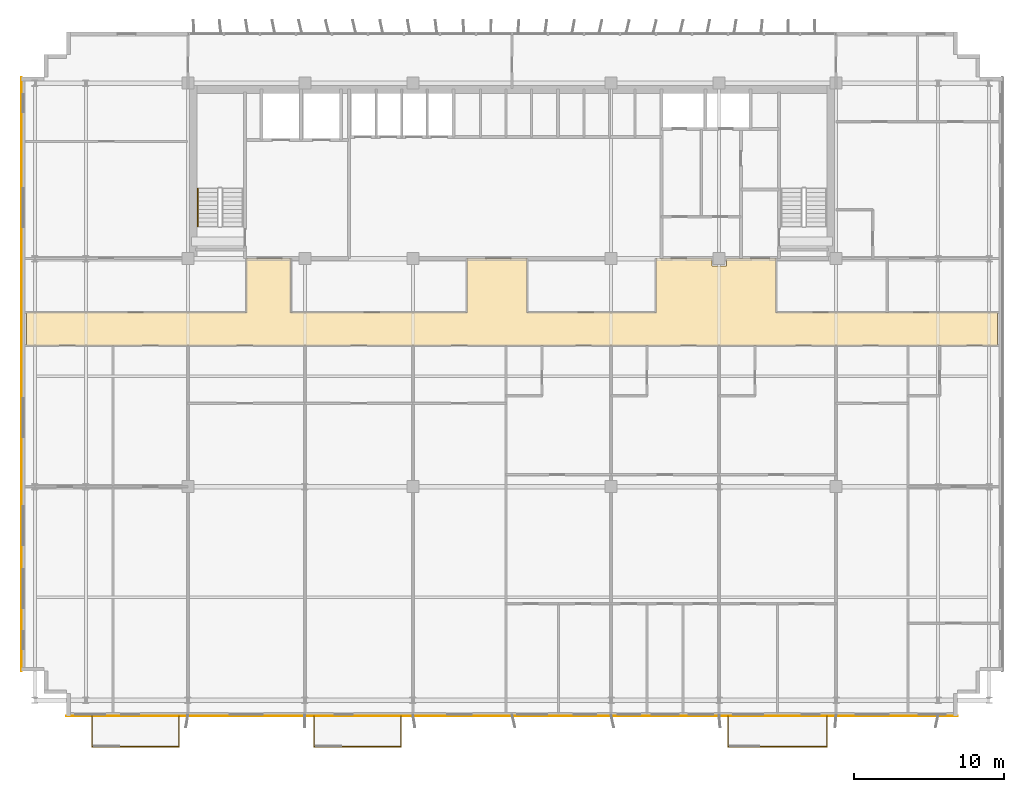
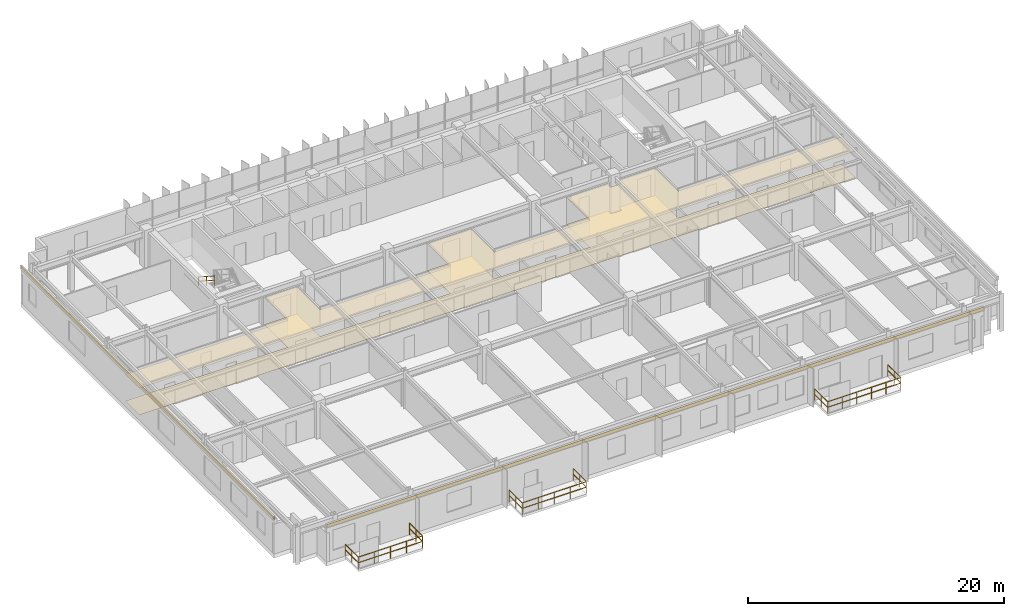
# One storey, part 20 of 22: 10 railings, 4 coverings.
"""IFC4 building model written with IfcOpenShell, lengths in metres."""

from ifc_helpers import new_model, si_unit, direction, frame, origin, origin_2d, place, context, subcontext, project, spatial, polyline, rectangle, outline, extrude, source, transform, mapped, material, layer, layer_set, type_object, element, save


model = new_model("IFC4")

# Units and contexts
model_context = context("Model", 3, precision=1e-05, world=origin(), true_north=direction((0.0, 1.0)))
body_context = subcontext(model_context, "Body", "Model", "MODEL_VIEW")
ifc_project = project(units=[si_unit("LENGTHUNIT", "METRE"), si_unit("AREAUNIT", "SQUARE_METRE"), si_unit("VOLUMEUNIT", "CUBIC_METRE"), si_unit("PLANEANGLEUNIT", "RADIAN"), si_unit("MASSUNIT", "GRAM", prefix="KILO")], contexts=[model_context])

# Site, building, storey
site_placement = place(None, origin())
site = spatial("IfcSite", under=ifc_project, at=site_placement, CompositionType="ELEMENT")
building_placement = place(site_placement, origin())
building = spatial("IfcBuilding", under=site, at=building_placement, Name="Trelvane Seafront Commons", CompositionType="ELEMENT")
storey_placement = place(building_placement, frame((0.0, 0.0, 81.699951171875)))
storey = spatial("IfcBuildingStorey", under=building, at=storey_placement, Name="L20", CompositionType="ELEMENT", Elevation=81.699951171875)

# Coverings
ifc_material_1 = material(Name="Acoustic Mineral Fibre Ceiling")
ifc_layer_1 = layer(ifc_material_1, 0.02490234375, Name="ARCH-COV-CEIL25")
ifc_layer_set_1 = layer_set([ifc_layer_1], Name="Acoustic Mineral Fibre Ceiling")
covering_type_1 = type_object("IfcCoveringType", Name="ARCH-COV-CEIL25", PredefinedType="CEILING", material=ifc_layer_set_1)
covering_1_placement = place(storey_placement, frame((0.0, 0.0, 2.550048828125)))
element("IfcCovering", 1, at=covering_1_placement, inside=storey, type_object=covering_type_1, Name="COV-CEIL-L20-10", PredefinedType="CEILING", context=body_context, shape_type="SweptSolid", body=[
    extrude(outline(polyline([(51.47998046875, 33.39990234375), (51.47998046875, 32.919921875), (50.52001953125, 32.919921875), (50.52001953125, 33.39990234375), (46.800048828125, 33.39990234375), (46.800048828125, 29.800048828125), (38.199951171875, 29.800048828125), (38.199951171875, 33.39990234375), (34.199951171875, 33.39990234375), (34.199951171875, 29.800048828125), (22.449951171875, 29.800048828125), (22.449951171875, 33.39990234375), (19.5, 33.39990234375), (19.5, 29.800048828125), (4.85009765625, 29.800048828125), (4.85009765625, 27.60009765625), (69.550048828125, 27.60009765625), (69.550048828125, 29.800048828125), (54.800048828125, 29.800048828125), (54.800048828125, 33.39990234375), (51.47998046875, 33.39990234375)])), origin(), (0.0, 0.0, 1.0), 0.02490234375),
])
ifc_material_2 = material(Name="Polished Terrazzo Finish")
ifc_layer_2 = layer(ifc_material_2, 0.02001953125, Name="ARCH-COV-FLOR20")
ifc_layer_set_2 = layer_set([ifc_layer_2], Name="Polished Terrazzo Finish")
covering_type_2 = type_object("IfcCoveringType", Name="ARCH-COV-FLOR20", PredefinedType="FLOORING", material=ifc_layer_set_2)
covering_2_placement = place(storey_placement, origin())
element("IfcCovering", 2, at=covering_2_placement, inside=storey, type_object=covering_type_2, Name="COV-FLOR-L20-10", PredefinedType="FLOORING", context=body_context, shape_type="SweptSolid", body=[
    extrude(outline(polyline([(51.47998046875, 33.39990234375), (51.47998046875, 32.919921875), (50.52001953125, 32.919921875), (50.52001953125, 33.39990234375), (46.800048828125, 33.39990234375), (46.800048828125, 29.800048828125), (38.199951171875, 29.800048828125), (38.199951171875, 33.39990234375), (34.199951171875, 33.39990234375), (34.199951171875, 29.800048828125), (22.449951171875, 29.800048828125), (22.449951171875, 33.39990234375), (19.5, 33.39990234375), (19.5, 29.800048828125), (4.85009765625, 29.800048828125), (4.85009765625, 27.60009765625), (69.550048828125, 27.60009765625), (69.550048828125, 29.800048828125), (54.800048828125, 29.800048828125), (54.800048828125, 33.39990234375), (51.47998046875, 33.39990234375)])), origin(), (0.0, 0.0, 1.0), 0.02001953125),
])

# Railings
ifc_material_3 = material(Name="Stainless steel balustrade", Category="steel")
railing_type_1 = type_object("IfcRailingType", Name="ARCH-RAIL-BAL1150", PredefinedType="BALUSTRADE", material=ifc_material_3)
railing_1_placement = place(storey_placement, frame((9.199951171875, 2.89990234375, 0.0)))
element("IfcRailing", 3, at=railing_1_placement, inside=storey, type_object=railing_type_1, Name="RL-L20-BAL0-01", PredefinedType="BALUSTRADE", context=body_context, shape_type="SweptSolid", body=[
    extrude(rectangle(XDim=0.048095703125, YDim=0.048095703125, at=origin_2d()), frame((0.0, 0.0, 1.1259765625), z_axis=(0.0, -1.0, 0.0), x_axis=(1.0, 0.0, 0.0)), (0.0, 0.0, 1.0), 2.039794921875),
    extrude(rectangle(XDim=0.048095703125, YDim=0.048095703125, at=origin_2d()), frame((0.0, 0.0, 0.597900390625), z_axis=(0.0, -1.0, 0.0), x_axis=(1.0, 0.0, 0.0)), (0.0, 0.0, 1.0), 2.039794921875),
    extrude(rectangle(XDim=0.0419921875, YDim=0.0419921875, at=origin_2d()), origin(), (0.0, 0.0, 1.0), 1.1259765625),
    extrude(rectangle(XDim=0.0419921875, YDim=0.0419921875, at=origin_2d()), frame((0.0, -1.02001953125, 0.0)), (0.0, 0.0, 1.0), 1.1259765625),
    extrude(rectangle(XDim=0.0419921875, YDim=0.0419921875, at=origin_2d()), frame((0.0, -2.039794921875, 0.0)), (0.0, 0.0, 1.0), 1.1259765625),
])
railing_2_placement = place(storey_placement, frame((9.199951171875, 0.860107421875, 0.0)))
element("IfcRailing", 4, at=railing_2_placement, inside=storey, type_object=railing_type_1, Name="RL-L20-BAL0-02", PredefinedType="BALUSTRADE", context=body_context, shape_type="SweptSolid", body=[
    extrude(rectangle(XDim=0.048095703125, YDim=0.048095703125, at=origin_2d()), frame((0.0, 0.0, 1.1259765625), z_axis=(1.0, 0.0, 0.0), x_axis=(0.0, 1.0, 0.0)), (0.0, 0.0, 1.0), 5.800048828125),
    extrude(rectangle(XDim=0.048095703125, YDim=0.048095703125, at=origin_2d()), frame((0.0, 0.0, 0.597900390625), z_axis=(1.0, 0.0, 0.0), x_axis=(0.0, 1.0, 0.0)), (0.0, 0.0, 1.0), 5.800048828125),
    extrude(rectangle(XDim=0.0419921875, YDim=0.0419921875, at=origin_2d()), origin(), (0.0, 0.0, 1.0), 1.1259765625),
    extrude(rectangle(XDim=0.0419921875, YDim=0.0419921875, at=origin_2d()), frame((1.449951171875, 0.0, 0.0)), (0.0, 0.0, 1.0), 1.1259765625),
    extrude(rectangle(XDim=0.0419921875, YDim=0.0419921875, at=origin_2d()), frame((2.89990234375, 0.0, 0.0)), (0.0, 0.0, 1.0), 1.1259765625),
    extrude(rectangle(XDim=0.0419921875, YDim=0.0419921875, at=origin_2d()), frame((4.35009765625, 0.0, 0.0)), (0.0, 0.0, 1.0), 1.1259765625),
    extrude(rectangle(XDim=0.0419921875, YDim=0.0419921875, at=origin_2d()), frame((5.800048828125, 0.0, 0.0)), (0.0, 0.0, 1.0), 1.1259765625),
])
railing_3_placement = place(storey_placement, frame((15.0, 0.860107421875, 0.0)))
element("IfcRailing", 5, at=railing_3_placement, inside=storey, type_object=railing_type_1, Name="RL-L20-BAL0-03", PredefinedType="BALUSTRADE", context=body_context, shape_type="SweptSolid", body=[
    extrude(rectangle(XDim=0.048095703125, YDim=0.048095703125, at=origin_2d()), frame((0.0, 0.0, 1.1259765625), z_axis=(0.0, 1.0, 0.0), x_axis=(-1.0, 0.0, 0.0)), (0.0, 0.0, 1.0), 2.039794921875),
    extrude(rectangle(XDim=0.048095703125, YDim=0.048095703125, at=origin_2d()), frame((0.0, 0.0, 0.597900390625), z_axis=(0.0, 1.0, 0.0), x_axis=(-1.0, 0.0, 0.0)), (0.0, 0.0, 1.0), 2.039794921875),
    extrude(rectangle(XDim=0.0419921875, YDim=0.0419921875, at=origin_2d()), origin(), (0.0, 0.0, 1.0), 1.1259765625),
    extrude(rectangle(XDim=0.0419921875, YDim=0.0419921875, at=origin_2d()), frame((0.0, 1.02001953125, 0.0)), (0.0, 0.0, 1.0), 1.1259765625),
    extrude(rectangle(XDim=0.0419921875, YDim=0.0419921875, at=origin_2d()), frame((0.0, 2.039794921875, 0.0)), (0.0, 0.0, 1.0), 1.1259765625),
])
railing_4_placement = place(storey_placement, frame((24.0, 2.89990234375, 0.0)))
element("IfcRailing", 6, at=railing_4_placement, inside=storey, type_object=railing_type_1, Name="RL-L20-BAL1-01", PredefinedType="BALUSTRADE", context=body_context, shape_type="SweptSolid", body=[
    extrude(rectangle(XDim=0.048095703125, YDim=0.048095703125, at=origin_2d()), frame((0.0, 0.0, 1.1259765625), z_axis=(0.0, -1.0, 0.0), x_axis=(1.0, 0.0, 0.0)), (0.0, 0.0, 1.0), 2.039794921875),
    extrude(rectangle(XDim=0.048095703125, YDim=0.048095703125, at=origin_2d()), frame((0.0, 0.0, 0.597900390625), z_axis=(0.0, -1.0, 0.0), x_axis=(1.0, 0.0, 0.0)), (0.0, 0.0, 1.0), 2.039794921875),
    extrude(rectangle(XDim=0.0419921875, YDim=0.0419921875, at=origin_2d()), origin(), (0.0, 0.0, 1.0), 1.1259765625),
    extrude(rectangle(XDim=0.0419921875, YDim=0.0419921875, at=origin_2d()), frame((0.0, -1.02001953125, 0.0)), (0.0, 0.0, 1.0), 1.1259765625),
    extrude(rectangle(XDim=0.0419921875, YDim=0.0419921875, at=origin_2d()), frame((0.0, -2.039794921875, 0.0)), (0.0, 0.0, 1.0), 1.1259765625),
])
railing_5_placement = place(storey_placement, frame((24.0, 0.860107421875, 0.0)))
element("IfcRailing", 7, at=railing_5_placement, inside=storey, type_object=railing_type_1, Name="RL-L20-BAL1-02", PredefinedType="BALUSTRADE", context=body_context, shape_type="SweptSolid", body=[
    extrude(rectangle(XDim=0.048095703125, YDim=0.048095703125, at=origin_2d()), frame((0.0, 0.0, 1.1259765625), z_axis=(1.0, 0.0, 0.0), x_axis=(0.0, 1.0, 0.0)), (0.0, 0.0, 1.0), 5.800048828125),
    extrude(rectangle(XDim=0.048095703125, YDim=0.048095703125, at=origin_2d()), frame((0.0, 0.0, 0.597900390625), z_axis=(1.0, 0.0, 0.0), x_axis=(0.0, 1.0, 0.0)), (0.0, 0.0, 1.0), 5.800048828125),
    extrude(rectangle(XDim=0.0419921875, YDim=0.0419921875, at=origin_2d()), origin(), (0.0, 0.0, 1.0), 1.1259765625),
    extrude(rectangle(XDim=0.0419921875, YDim=0.0419921875, at=origin_2d()), frame((1.449951171875, 0.0, 0.0)), (0.0, 0.0, 1.0), 1.1259765625),
    extrude(rectangle(XDim=0.0419921875, YDim=0.0419921875, at=origin_2d()), frame((2.89990234375, 0.0, 0.0)), (0.0, 0.0, 1.0), 1.1259765625),
    extrude(rectangle(XDim=0.0419921875, YDim=0.0419921875, at=origin_2d()), frame((4.35009765625, 0.0, 0.0)), (0.0, 0.0, 1.0), 1.1259765625),
    extrude(rectangle(XDim=0.0419921875, YDim=0.0419921875, at=origin_2d()), frame((5.800048828125, 0.0, 0.0)), (0.0, 0.0, 1.0), 1.1259765625),
])
railing_6_placement = place(storey_placement, frame((29.800048828125, 0.860107421875, 0.0)))
element("IfcRailing", 8, at=railing_6_placement, inside=storey, type_object=railing_type_1, Name="RL-L20-BAL1-03", PredefinedType="BALUSTRADE", context=body_context, shape_type="SweptSolid", body=[
    extrude(rectangle(XDim=0.048095703125, YDim=0.048095703125, at=origin_2d()), frame((0.0, 0.0, 1.1259765625), z_axis=(0.0, 1.0, 0.0), x_axis=(-1.0, 0.0, 0.0)), (0.0, 0.0, 1.0), 2.039794921875),
    extrude(rectangle(XDim=0.048095703125, YDim=0.048095703125, at=origin_2d()), frame((0.0, 0.0, 0.597900390625), z_axis=(0.0, 1.0, 0.0), x_axis=(-1.0, 0.0, 0.0)), (0.0, 0.0, 1.0), 2.039794921875),
    extrude(rectangle(XDim=0.0419921875, YDim=0.0419921875, at=origin_2d()), origin(), (0.0, 0.0, 1.0), 1.1259765625),
    extrude(rectangle(XDim=0.0419921875, YDim=0.0419921875, at=origin_2d()), frame((0.0, 1.02001953125, 0.0)), (0.0, 0.0, 1.0), 1.1259765625),
    extrude(rectangle(XDim=0.0419921875, YDim=0.0419921875, at=origin_2d()), frame((0.0, 2.039794921875, 0.0)), (0.0, 0.0, 1.0), 1.1259765625),
])
railing_7_placement = place(storey_placement, frame((51.60009765625, 2.89990234375, 0.0)))
element("IfcRailing", 9, at=railing_7_placement, inside=storey, type_object=railing_type_1, Name="RL-L20-BAL2-01", PredefinedType="BALUSTRADE", context=body_context, shape_type="SweptSolid", body=[
    extrude(rectangle(XDim=0.048095703125, YDim=0.048095703125, at=origin_2d()), frame((0.0, 0.0, 1.1259765625), z_axis=(0.0, -1.0, 0.0), x_axis=(1.0, 0.0, 0.0)), (0.0, 0.0, 1.0), 2.039794921875),
    extrude(rectangle(XDim=0.048095703125, YDim=0.048095703125, at=origin_2d()), frame((0.0, 0.0, 0.597900390625), z_axis=(0.0, -1.0, 0.0), x_axis=(1.0, 0.0, 0.0)), (0.0, 0.0, 1.0), 2.039794921875),
    extrude(rectangle(XDim=0.0419921875, YDim=0.0419921875, at=origin_2d()), origin(), (0.0, 0.0, 1.0), 1.1259765625),
    extrude(rectangle(XDim=0.0419921875, YDim=0.0419921875, at=origin_2d()), frame((0.0, -1.02001953125, 0.0)), (0.0, 0.0, 1.0), 1.1259765625),
    extrude(rectangle(XDim=0.0419921875, YDim=0.0419921875, at=origin_2d()), frame((0.0, -2.039794921875, 0.0)), (0.0, 0.0, 1.0), 1.1259765625),
])
railing_8_placement = place(storey_placement, frame((51.60009765625, 0.860107421875, 0.0)))
element("IfcRailing", 10, at=railing_8_placement, inside=storey, type_object=railing_type_1, Name="RL-L20-BAL2-02", PredefinedType="BALUSTRADE", context=body_context, shape_type="SweptSolid", body=[
    extrude(rectangle(XDim=0.048095703125, YDim=0.048095703125, at=origin_2d()), frame((0.0, 0.0, 1.1259765625), z_axis=(1.0, 0.0, 0.0), x_axis=(0.0, 1.0, 0.0)), (0.0, 0.0, 1.0), 6.599853515625),
    extrude(rectangle(XDim=0.048095703125, YDim=0.048095703125, at=origin_2d()), frame((0.0, 0.0, 0.597900390625), z_axis=(1.0, 0.0, 0.0), x_axis=(0.0, 1.0, 0.0)), (0.0, 0.0, 1.0), 6.599853515625),
    extrude(rectangle(XDim=0.0419921875, YDim=0.0419921875, at=origin_2d()), origin(), (0.0, 0.0, 1.0), 1.1259765625),
    extrude(rectangle(XDim=0.0419921875, YDim=0.0419921875, at=origin_2d()), frame((1.320068359375, 0.0, 0.0)), (0.0, 0.0, 1.0), 1.1259765625),
    extrude(rectangle(XDim=0.0419921875, YDim=0.0419921875, at=origin_2d()), frame((2.639892578125, 0.0, 0.0)), (0.0, 0.0, 1.0), 1.1259765625),
    extrude(rectangle(XDim=0.0419921875, YDim=0.0419921875, at=origin_2d()), frame((3.9599609375, 0.0, 0.0)), (0.0, 0.0, 1.0), 1.1259765625),
    extrude(rectangle(XDim=0.0419921875, YDim=0.0419921875, at=origin_2d()), frame((5.27978515625, 0.0, 0.0)), (0.0, 0.0, 1.0), 1.1259765625),
    extrude(rectangle(XDim=0.0419921875, YDim=0.0419921875, at=origin_2d()), frame((6.599853515625, 0.0, 0.0)), (0.0, 0.0, 1.0), 1.1259765625),
])
railing_9_placement = place(storey_placement, frame((58.199951171875, 0.860107421875, 0.0)))
element("IfcRailing", 11, at=railing_9_placement, inside=storey, type_object=railing_type_1, Name="RL-L20-BAL2-03", PredefinedType="BALUSTRADE", context=body_context, shape_type="SweptSolid", body=[
    extrude(rectangle(XDim=0.048095703125, YDim=0.048095703125, at=origin_2d()), frame((0.0, 0.0, 1.1259765625), z_axis=(0.0, 1.0, 0.0), x_axis=(-1.0, 0.0, 0.0)), (0.0, 0.0, 1.0), 2.039794921875),
    extrude(rectangle(XDim=0.048095703125, YDim=0.048095703125, at=origin_2d()), frame((0.0, 0.0, 0.597900390625), z_axis=(0.0, 1.0, 0.0), x_axis=(-1.0, 0.0, 0.0)), (0.0, 0.0, 1.0), 2.039794921875),
    extrude(rectangle(XDim=0.0419921875, YDim=0.0419921875, at=origin_2d()), origin(), (0.0, 0.0, 1.0), 1.1259765625),
    extrude(rectangle(XDim=0.0419921875, YDim=0.0419921875, at=origin_2d()), frame((0.0, 1.02001953125, 0.0)), (0.0, 0.0, 1.0), 1.1259765625),
    extrude(rectangle(XDim=0.0419921875, YDim=0.0419921875, at=origin_2d()), frame((0.0, 2.039794921875, 0.0)), (0.0, 0.0, 1.0), 1.1259765625),
])
railing_type_2 = type_object("IfcRailingType", Name="ARCH-SRL-HAND", PredefinedType="HANDRAIL", material=ifc_material_3)
railing_10_placement = place(storey_placement, frame((16.25, 38.070068359375, 1.97998046875)))
element("IfcRailing", 12, at=railing_10_placement, inside=storey, type_object=railing_type_2, Name="L20 ST-1 stair handrail 2", PredefinedType="HANDRAIL", context=body_context, shape_type="SweptSolid", body=[
    extrude(rectangle(XDim=0.048095703125, YDim=0.048095703125, at=origin_2d()), frame((0.0, 0.0, 0.8759765625), z_axis=(0.0, -0.841162588446, 0.540782303519), x_axis=(1.0, 0.0, 0.0)), (0.0, 0.0, 1.0), 2.995849609375),
    extrude(rectangle(XDim=0.048095703125, YDim=0.048095703125, at=origin_2d()), frame((0.0, 0.0, 0.468017578125), z_axis=(0.0, -0.841162588446, 0.540782303519), x_axis=(1.0, 0.0, 0.0)), (0.0, 0.0, 1.0), 2.995849609375),
    extrude(rectangle(XDim=0.0419921875, YDim=0.0419921875, at=origin_2d()), origin(), (0.0, 0.0, 1.0), 0.8759765625),
    extrude(rectangle(XDim=0.0419921875, YDim=0.0419921875, at=origin_2d()), frame((0.0, -1.260009765625, 0.81005859375)), (0.0, 0.0, 1.0), 0.8759765625),
    extrude(rectangle(XDim=0.0419921875, YDim=0.0419921875, at=origin_2d()), frame((0.0, -2.52001953125, 1.6201171875)), (0.0, 0.0, 1.0), 0.8759765625),
])

# Coverings
ifc_material_4 = material(Name="Anodised pale-silver aluminium", Category="aluminium")
ifc_layer_3 = layer(ifc_material_4, 0.034912109375, Name="ARCH-COV-CLAD35")
ifc_layer_set_3 = layer_set([ifc_layer_3], Name="Anodised pale-silver aluminium")
covering_type_3 = type_object("IfcCoveringType", Name="ARCH-COV-CLAD35", PredefinedType="CLADDING", material=ifc_layer_set_3)
shared_shape_1 = source(origin(), body_context, "Body", "SweptSolid", [
    extrude(rectangle(XDim=39.60009765625, YDim=0.034912109375, at=origin_2d()), origin(), (0.0, 0.0, 1.0), 0.300048828125),
])
covering_3_placement = place(storey_placement, frame((4.5, 25.699951171875, 3.2998046875), z_axis=(0.0, 0.0, 1.0), x_axis=(0.0, 1.0, 0.0)))
element("IfcCovering", 13, at=covering_3_placement, inside=storey, type_object=covering_type_3, Name="CLD-L20-00091", PredefinedType="CLADDING", context=body_context, shape_type="MappedRepresentation", body=[
    mapped(shared_shape_1, transform((0.0, 0.0, 0.0), x_axis=(1.0, 0.0, 0.0), y_axis=(0.0, 1.0, 0.0), z_axis=(0.0, 0.0, 1.0), scale=1.0)),
])
shared_shape_2 = source(origin(), body_context, "Body", "SweptSolid", [
    extrude(rectangle(XDim=59.39990234375, YDim=0.034912109375, at=origin_2d()), origin(), (0.0, 0.0, 1.0), 0.300048828125),
])
covering_4_placement = place(storey_placement, frame((37.199951171875, 2.89990234375, 3.2998046875), z_axis=(0.0, 0.0, 1.0), x_axis=(-1.0, 0.0, 0.0)))
element("IfcCovering", 14, at=covering_4_placement, inside=storey, type_object=covering_type_3, Name="CLD-L20-00093", PredefinedType="CLADDING", context=body_context, shape_type="MappedRepresentation", body=[
    mapped(shared_shape_2, transform((0.0, 0.0, 0.0), x_axis=(1.0, 0.0, 0.0), y_axis=(0.0, 1.0, 0.0), z_axis=(0.0, 0.0, 1.0), scale=1.0)),
])

save(model, "model.ifc")
